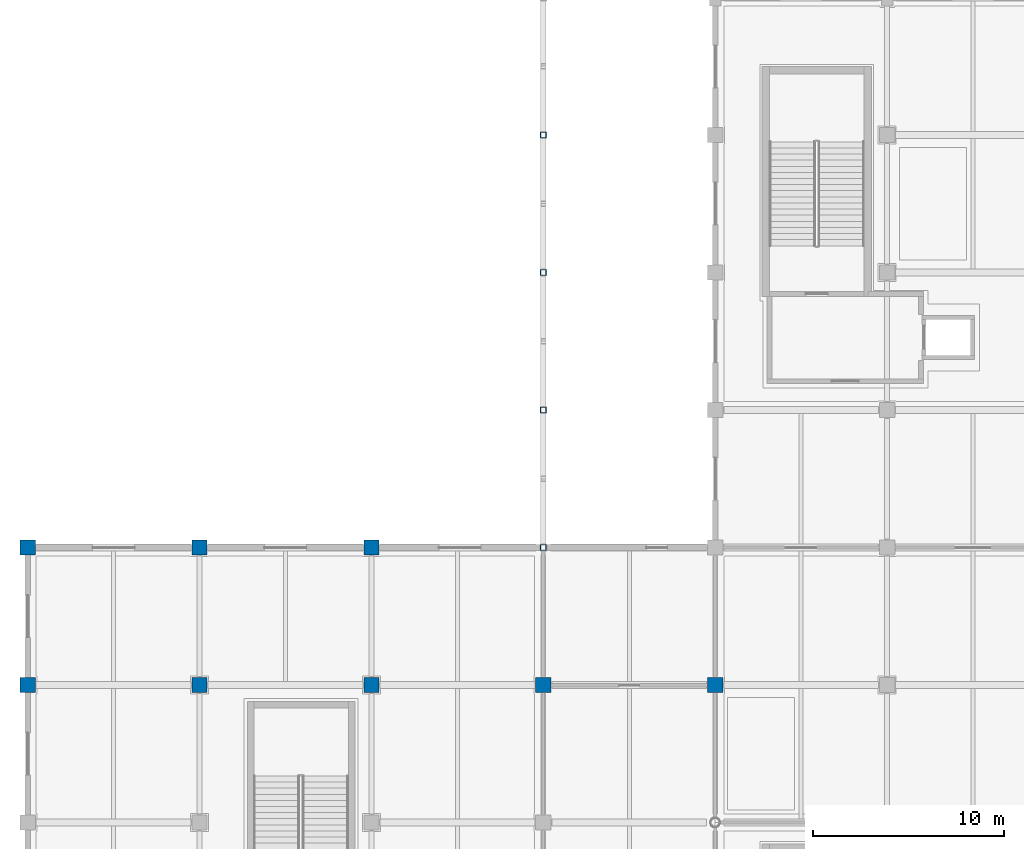
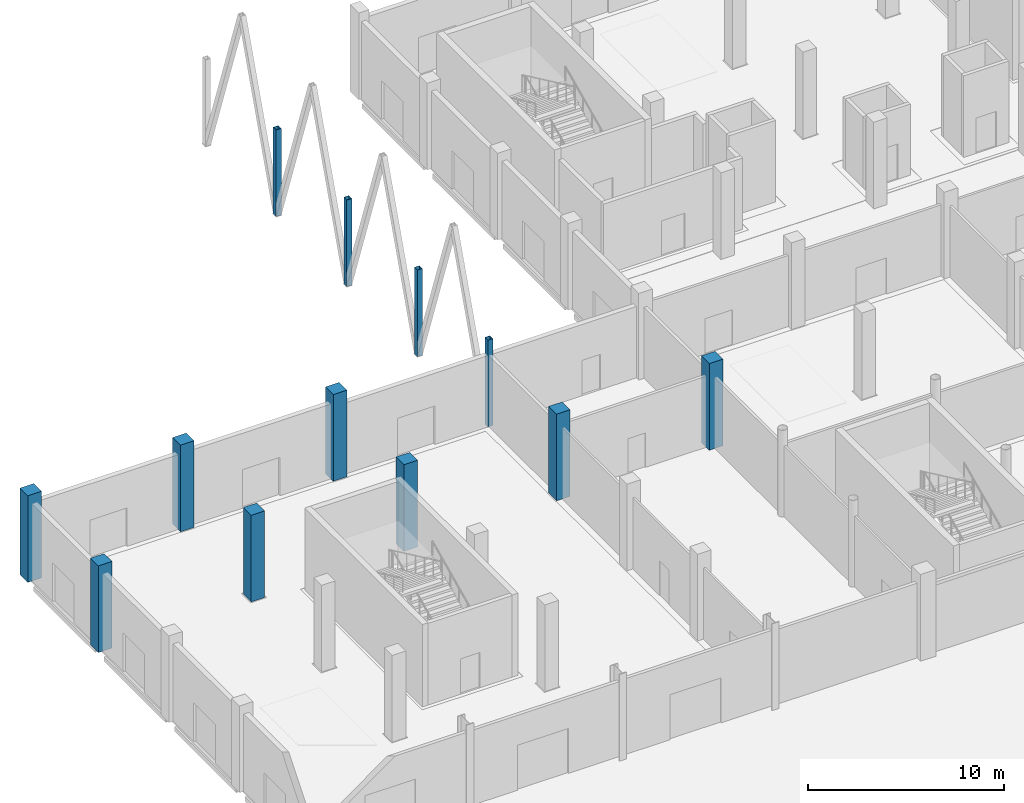
# One storey, part 11 of 137: 12 columns.
"""IFC4 building model written with IfcOpenShell, lengths in metres."""

from ifc_helpers import new_model, si_unit, direction, frame, origin, origin_2d, place, context, subcontext, project, spatial, rectangle, hollow_rectangle, extrude, material, material_profile, profile_set, type_object, element, save


model = new_model("IFC4")

# Units and contexts
model_context = context("Model", 3, precision=1e-05, world=origin(), true_north=direction((0.0, 1.0)))
body_context = subcontext(model_context, "Body", "Model", "MODEL_VIEW")
ifc_project = project(units=[si_unit("LENGTHUNIT", "METRE"), si_unit("AREAUNIT", "SQUARE_METRE"), si_unit("VOLUMEUNIT", "CUBIC_METRE"), si_unit("PLANEANGLEUNIT", "RADIAN"), si_unit("MASSUNIT", "GRAM", prefix="KILO")], contexts=[model_context])

# Site, building, storey
site_placement = place(None, origin())
site = spatial("IfcSite", under=ifc_project, at=site_placement, CompositionType="ELEMENT")
building_placement = place(site_placement, origin())
building = spatial("IfcBuilding", under=site, at=building_placement, Name="Celestram Park Convention Centre", CompositionType="ELEMENT")
storey_placement = place(building_placement, origin())
storey = spatial("IfcBuildingStorey", under=building, at=storey_placement, Name="L00", CompositionType="ELEMENT", Elevation=0.0)

# Columns
ifc_material_1 = material(Name="Steel ASTM A500 Grade C", Category="steel")
ifc_material_profile_1 = material_profile(ifc_material_1, hollow_rectangle(XDim=0.300048828125, YDim=0.300048828125, WallThickness=0.01611328125, at=origin_2d()), Name="HSS300X300X16")
ifc_profile_set_1 = profile_set([ifc_material_profile_1], Name="Steel ASTM A500 Grade C")
column_type_1 = type_object("IfcColumnType", Name="STR-COL-HSS300", PredefinedType="COLUMN", material=ifc_profile_set_1)
for number, where, z_axis, x_axis, name in (
    (1, (27.0, 136.800048828125, 0.0), (0.0, 0.0, 1.0), (1.0, 0.0, 0.0), "Column CN-L00-035"),
    (2, (27.0, 144.0, 0.0), (0.0, 0.0, 1.0), (1.0, 0.0, 0.0), "Column CN-L00-036"),
    (3, (27.0, 151.199951171875, 0.0), (0.0, 0.0, 1.0), (1.0, 0.0, 0.0), "Column CN-L00-037"),
    (4, (27.0, 158.39990234375, 0.0), (0.0, 0.0, 1.0), (1.0, 0.0, 0.0), "Column CN-L00-038"),
):
    element("IfcColumn", number, at=place(storey_placement, frame(where, z_axis=z_axis, x_axis=x_axis)), inside=storey, type_object=column_type_1, Name=name, PredefinedType="COLUMN", context=body_context, shape_type="SweptSolid", body=[
        extrude(hollow_rectangle(XDim=0.300048828125, YDim=0.300048828125, WallThickness=0.01611328125, at=origin_2d()), origin(), (0.0, 0.0, 1.0), 5.39990234375),
    ])
ifc_material_2 = material(Name="Concrete C40/50", Category="concrete")
ifc_material_profile_2 = material_profile(ifc_material_2, rectangle(XDim=0.800048828125, YDim=0.800048828125, at=origin_2d()), Name="RC800X800")
ifc_profile_set_2 = profile_set([ifc_material_profile_2], Name="Concrete C40/50")
column_type_2 = type_object("IfcColumnType", Name="STR-COL-RC800", PredefinedType="COLUMN", material=ifc_profile_set_2)
for number, where, z_axis, x_axis, name in (
    (5, (0.0, 129.60009765625, 0.0), (0.0, 0.0, 1.0), (1.0, 0.0, 0.0), "Column CN-L00-016"),
    (6, (0.0, 136.800048828125, 0.0), (0.0, 0.0, 1.0), (1.0, 0.0, 0.0), "Column CN-L00-017"),
    (7, (9.0, 129.60009765625, 0.0), (0.0, 0.0, 1.0), (1.0, 0.0, 0.0), "Column CN-L00-022"),
    (8, (9.0, 136.800048828125, 0.0), (0.0, 0.0, 1.0), (1.0, 0.0, 0.0), "Column CN-L00-023"),
    (9, (18.0, 129.60009765625, 0.0), (0.0, 0.0, 1.0), (1.0, 0.0, 0.0), "Column CN-L00-028"),
    (10, (18.0, 136.800048828125, 0.0), (0.0, 0.0, 1.0), (1.0, 0.0, 0.0), "Column CN-L00-029"),
    (11, (27.0, 129.60009765625, 0.0), (0.0, 0.0, 1.0), (1.0, 0.0, 0.0), "Column CN-L00-034"),
    (12, (36.0, 129.60009765625, 0.0), (0.0, 0.0, 1.0), (1.0, 0.0, 0.0), "Column CN-L00-047"),
):
    element("IfcColumn", number, at=place(storey_placement, frame(where, z_axis=z_axis, x_axis=x_axis)), inside=storey, type_object=column_type_2, Name=name, PredefinedType="COLUMN", context=body_context, shape_type="SweptSolid", body=[
        extrude(rectangle(XDim=0.800048828125, YDim=0.800048828125, at=origin_2d()), origin(), (0.0, 0.0, 1.0), 5.39990234375),
    ])

save(model, "model.ifc")
